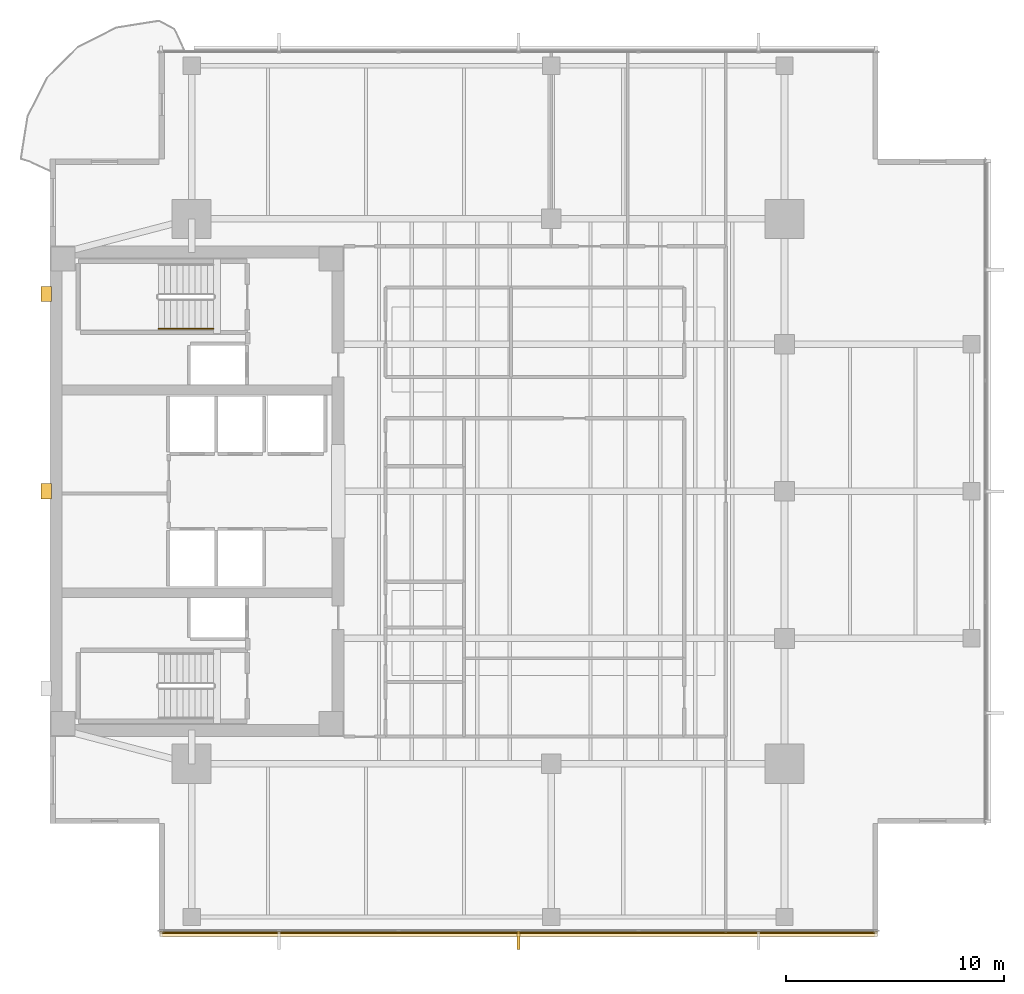
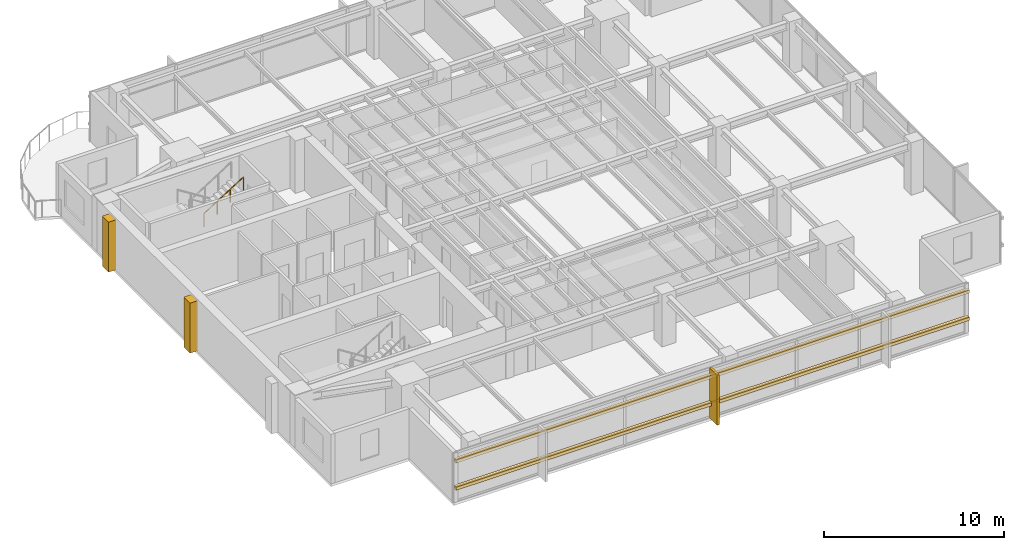
# One storey, part 12 of 15: 5 coverings, 2 shading devices, 1 railing.
"""IFC4 building model written with IfcOpenShell, lengths in metres."""

from ifc_helpers import new_model, si_unit, direction, frame, origin, origin_2d, place, context, subcontext, project, spatial, polyline, rectangle, circle, outline, extrude, material, layer, layer_set, material_profile, profile_set, type_object, element, save


model = new_model("IFC4")

# Units and contexts
model_context = context("Model", 3, precision=1e-05, world=origin(), true_north=direction((0.0, 1.0)))
body_context = subcontext(model_context, "Body", "Model", "MODEL_VIEW")
ifc_project = project(units=[si_unit("LENGTHUNIT", "METRE"), si_unit("AREAUNIT", "SQUARE_METRE"), si_unit("VOLUMEUNIT", "CUBIC_METRE"), si_unit("PLANEANGLEUNIT", "RADIAN"), si_unit("MASSUNIT", "GRAM", prefix="KILO")], contexts=[model_context])

# Site, building, storey
site_placement = place(None, origin())
site = spatial("IfcSite", under=ifc_project, at=site_placement, CompositionType="ELEMENT")
building_placement = place(site_placement, origin())
building = spatial("IfcBuilding", under=site, at=building_placement, Name="Kinhvarn Gate Tower", CompositionType="ELEMENT")
storey_placement = place(building_placement, frame((0.0, 0.0, 237.75)))
storey = spatial("IfcBuildingStorey", under=building, at=storey_placement, Name="L63", CompositionType="ELEMENT", Elevation=237.75)

# Coverings
ifc_material_1 = material(Name="Fired architectural terracotta", Category="masonry")
ifc_layer_1 = layer(ifc_material_1, 0.239990234375)
ifc_layer_set_1 = layer_set([ifc_layer_1], Name="Fired architectural terracotta")
covering_type_1 = type_object("IfcCoveringType", Name="COV-BAG-220", PredefinedType="CLADDING", material=ifc_layer_set_1)
for number, where, name in (
    (1, (0.0, 0.0, 0.93994140625), "Terracotta Horizontal Sunscreen Band TBG-220 (L63)"),
    (2, (0.0, 0.0, 2.7900390625), "Terracotta Horizontal Sunscreen Band TBG-220 (L63)"),
):
    element("IfcCovering", number, at=place(storey_placement, frame(where)), inside=storey, type_object=covering_type_1, Name=name, PredefinedType="CLADDING", context=body_context, shape_type="SweptSolid", body=[
        extrude(outline(polyline([(9.5400390625, 5.070068359375), (42.4599609375, 5.070068359375), (42.4599609375, 4.830078125), (9.5400390625, 4.830078125), (9.5400390625, 5.070068359375)])), origin(), (0.0, 0.0, 1.0), 0.219970703125),
    ])
ifc_layer_2 = layer(ifc_material_1, 0.139892578125)
ifc_layer_set_2 = layer_set([ifc_layer_2], Name="Fired architectural terracotta")
covering_type_2 = type_object("IfcCoveringType", Name="COV-FIN-850", PredefinedType="CLADDING", material=ifc_layer_set_2)
covering_1_placement = place(storey_placement, frame((0.0, 0.0, -0.02001953125)))
element("IfcCovering", 3, at=covering_1_placement, inside=storey, type_object=covering_type_2, Name="Vertical Terracotta Expressive Fin TFN-850 (L63)", PredefinedType="CLADDING", context=body_context, shape_type="SweptSolid", body=[
    extrude(outline(polyline([(25.929931640625, 5.080078125), (26.070068359375, 5.080078125), (26.070068359375, 4.22998046875), (25.929931640625, 4.22998046875), (25.929931640625, 5.080078125)])), origin(), (0.0, 0.0, 1.0), 3.39013671875),
])
ifc_material_2 = material(Name="Precast white architectural concrete C40/50", Category="concrete")
ifc_layer_3 = layer(ifc_material_2, 0.47998046875)
ifc_layer_set_3 = layer_set([ifc_layer_3], Name="Precast white architectural concrete C40/50")
covering_type_3 = type_object("IfcCoveringType", Name="COV-RIB-450", PredefinedType="CLADDING", material=ifc_layer_set_3)
covering_2_placement = place(storey_placement, frame((0.0, 0.0, -0.02001953125)))
element("IfcCovering", 4, at=covering_2_placement, inside=storey, type_object=covering_type_3, Name="West Core Sculptural Concrete Relief Rib CRB-450 (L63)", PredefinedType="CLADDING", context=body_context, shape_type="SweptSolid", body=[
    extrude(outline(polyline([(4.080078125, 24.89990234375), (4.56005859375, 24.89990234375), (4.56005859375, 25.60009765625), (4.080078125, 25.60009765625), (4.080078125, 24.89990234375)])), origin(), (0.0, 0.0, 1.0), 3.39013671875),
])
covering_3_placement = place(storey_placement, frame((0.0, 0.0, -0.02001953125)))
element("IfcCovering", 5, at=covering_3_placement, inside=storey, type_object=covering_type_3, Name="West Core Sculptural Concrete Relief Rib CRB-450 (L63)", PredefinedType="CLADDING", context=body_context, shape_type="SweptSolid", body=[
    extrude(outline(polyline([(4.080078125, 33.949951171875), (4.56005859375, 33.949951171875), (4.56005859375, 34.64990234375), (4.080078125, 34.64990234375), (4.080078125, 33.949951171875)])), origin(), (0.0, 0.0, 1.0), 3.39013671875),
])

# Railing
ifc_material_3 = material(Name="Steel S355", Category="steel")
railing_type = type_object("IfcRailingType", Name="RL-ST-HND", PredefinedType="HANDRAIL", material=ifc_material_3)
railing_placement = place(storey_placement, frame((9.47998046875, 32.699951171875, 1.952392578125)))
element("IfcRailing", 6, at=railing_placement, inside=storey, type_object=railing_type, Name="L63 ST2 stair handrail 2", PredefinedType="HANDRAIL", context=body_context, shape_type="SweptSolid", body=[
    extrude(circle(Radius=0.02392578125, at=origin_2d()), frame((0.0, 0.0, 0.8759765625), z_axis=(0.84456994832, 0.0, 0.535445237532), x_axis=(0.0, 1.0, 0.0)), (0.0, 0.0, 1.0), 2.98388671875),
    extrude(circle(Radius=0.02099609375, at=origin_2d()), origin(), (0.0, 0.0, 1.0), 0.851806640625),
    extrude(circle(Radius=0.02099609375, at=origin_2d()), frame((0.840087890625, 0.0, 0.532470703125)), (0.0, 0.0, 1.0), 0.851806640625),
    extrude(circle(Radius=0.02099609375, at=origin_2d()), frame((1.679931640625, 0.0, 1.065185546875)), (0.0, 0.0, 1.0), 0.851806640625),
    extrude(circle(Radius=0.02099609375, at=origin_2d()), frame((2.52001953125, 0.0, 1.59765625)), (0.0, 0.0, 1.0), 0.851806640625),
])

# Shading devices
ifc_material_profile = material_profile(ifc_material_1, rectangle(XDim=0.050048828125, YDim=0.1201171875, at=origin_2d()), Name="TC 50x120")
ifc_profile_set = profile_set([ifc_material_profile], Name="Fired architectural terracotta")
shading_device_type = type_object("IfcShadingDeviceType", Name="SHD-BAG-140", PredefinedType="USERDEFINED", material=ifc_profile_set)
for number, where, z_axis, x_axis, name in (
    (7, (9.5400390625, 5.0, 1.050048828125), (1.0, 0.0, 0.0), (0.0, 1.0, 0.0), "Upper Tower Terracotta Baguette Screen Rod 50x120 mm (L63)"),
    (8, (9.5400390625, 5.0, 2.89990234375), (1.0, 0.0, 0.0), (0.0, 1.0, 0.0), "Upper Tower Terracotta Baguette Screen Rod 50x120 mm (L63)"),
):
    element("IfcShadingDevice", number, at=place(storey_placement, frame(where, z_axis=z_axis, x_axis=x_axis)), inside=storey, type_object=shading_device_type, Name=name, ObjectType="BAGUETTE", PredefinedType="USERDEFINED", context=body_context, shape_type="SweptSolid", body=[
        extrude(rectangle(XDim=0.050048828125, YDim=0.1201171875, at=origin_2d()), origin(), (0.0, 0.0, 1.0), 32.919921875),
    ])

save(model, "model.ifc")
